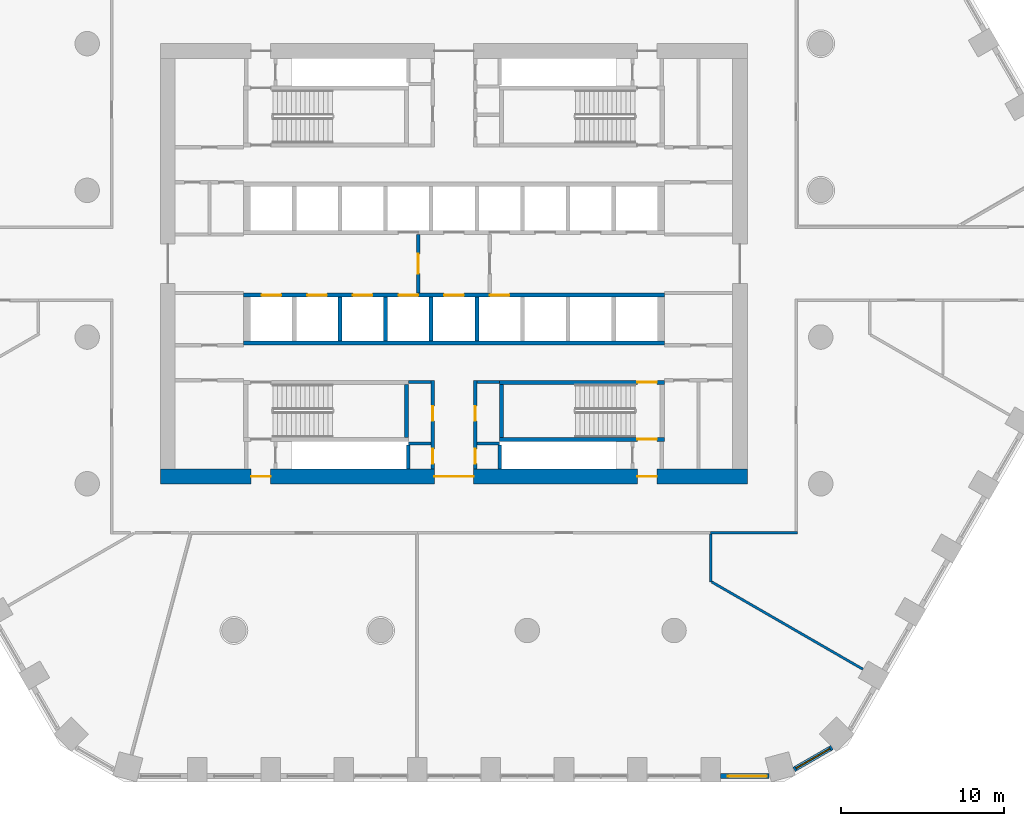
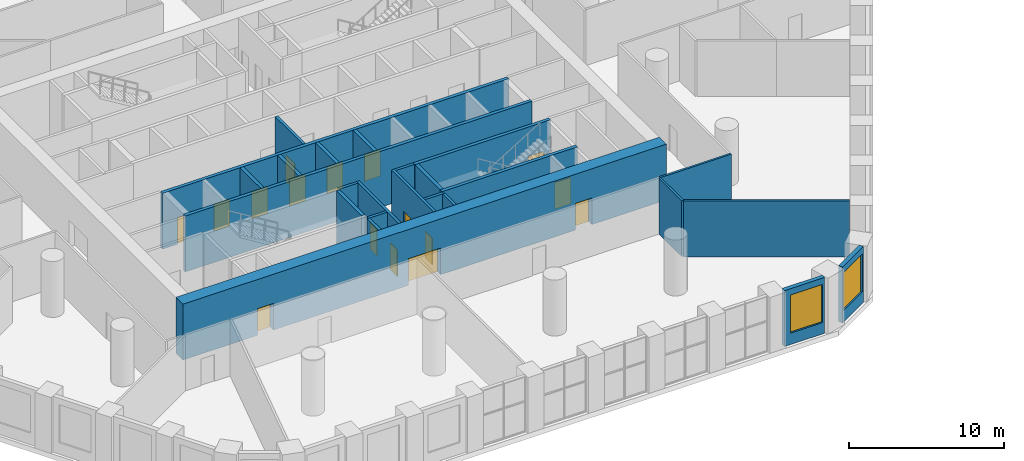
# One storey, part 8 of 26: 25 walls, 16 doors, 2 windows, 18 openings.
"""IFC4 building model written with IfcOpenShell, lengths in metres."""

import ifcopenshell
import ifcopenshell.guid

model = None  # the IFC model being written
_history = None  # IfcOwnerHistory: only IFC2X3 demands one
_inside = {}  # id of a spatial element -> (the spatial element, [elements in it])
_under = {}  # id of a project, library or spatial element -> (it, [spatial elements below it])
_declared = {}  # id of a project -> (the project, [libraries it declares])
_typed = {}  # id of a type object -> (the type object, [elements of that type])
_made_of = {}  # id of a material, layer set ... -> (it, [elements and type objects made of it])


def new_model(schema):
    """Start an empty IFC model of exactly this schema.

    Asked for "IFC4X3", IfcOpenShell would pick the latest addendum, in which some entities
    have other attributes; the version numbers below select the first issue.
    IFC2X3 requires an IfcOwnerHistory on every rooted entity: one is made here for all.
    """
    global model, _history
    if schema == "IFC4X3":
        model = ifcopenshell.file(schema_version=(4, 3, 0, 0))
    else:
        model = ifcopenshell.file(schema=schema)
    _inside.clear()
    _under.clear()
    _declared.clear()
    _typed.clear()
    _made_of.clear()
    _history = None
    if model.schema == "IFC2X3":
        org = make("IfcOrganization", Name="unknown")
        user = make(
            "IfcPersonAndOrganization",
            ThePerson=make("IfcPerson", FamilyName="unknown"),
            TheOrganization=org,
        )
        app = make(
            "IfcApplication",
            ApplicationDeveloper=org,
            Version="unknown",
            ApplicationFullName="unknown",
            ApplicationIdentifier="unknown",
        )
        _history = make(
            "IfcOwnerHistory",
            OwningUser=user,
            OwningApplication=app,
            ChangeAction="ADDED",
            CreationDate=0,
        )
    return model


def make(cls, **values):
    """One entity of the class cls with the attributes given. An attribute that is None is left unset."""
    return model.create_entity(
        cls, **{name: value for name, value in values.items() if value is not None}
    )


def rooted(cls, **values):
    """An entity with a GlobalId (a new one), such as an element, a storey or a relation."""
    return make(cls, GlobalId=ifcopenshell.guid.new(), OwnerHistory=_history, **values)


def si_unit(unit_type, name, prefix=None):
    """IfcSIUnit, for example si_unit("LENGTHUNIT", "METRE", prefix="MILLI")."""
    return make("IfcSIUnit", UnitType=unit_type, Prefix=prefix, Name=name)


def assignment(units):
    """IfcUnitAssignment: the units of a project."""
    return None if units is None else make("IfcUnitAssignment", Units=units)


def point(xyz):
    """IfcCartesianPoint."""
    return None if xyz is None else make("IfcCartesianPoint", Coordinates=xyz)


def direction(xyz):
    """IfcDirection."""
    return None if xyz is None else make("IfcDirection", DirectionRatios=xyz)


def frame(location, z_axis=None, x_axis=None):
    """IfcAxis2Placement3D, a coordinate frame: its origin and axes. An axis left out is left unset."""
    return make(
        "IfcAxis2Placement3D",
        Location=point(location),
        Axis=direction(z_axis),
        RefDirection=direction(x_axis),
    )


def frame_2d(location, x_axis=None):
    """IfcAxis2Placement2D, a coordinate frame in the plane: its origin and x axis."""
    return make(
        "IfcAxis2Placement2D", Location=point(location), RefDirection=direction(x_axis)
    )


def origin():
    """The frame at (0, 0, 0) with its axes left unset."""
    return frame((0.0, 0.0, 0.0))


def place(relative_to, where):
    """IfcLocalPlacement: puts the frame where relative to a parent placement (None: the world)."""
    return make(
        "IfcLocalPlacement", PlacementRelTo=relative_to, RelativePlacement=where
    )


def context(
    kind, dimensions, precision=None, world=None, true_north=None, identifier=None
):
    """IfcGeometricRepresentationContext, for example the 3D "Model" context."""
    return make(
        "IfcGeometricRepresentationContext",
        ContextIdentifier=identifier,
        ContextType=kind,
        CoordinateSpaceDimension=dimensions,
        Precision=precision,
        WorldCoordinateSystem=world,
        TrueNorth=true_north,
    )


def subcontext(parent, identifier, kind, view, scale=None):
    """IfcGeometricRepresentationSubContext, for example "Body" below "Model"."""
    return make(
        "IfcGeometricRepresentationSubContext",
        ContextIdentifier=identifier,
        ContextType=kind,
        ParentContext=parent,
        TargetScale=scale,
        TargetView=view,
    )


def project(units=None, contexts=None):
    """IfcProject with its units and contexts."""
    return rooted(
        "IfcProject",
        Name="project",
        RepresentationContexts=contexts,
        UnitsInContext=assignment(units),
    )


def spatial(cls, under=None, at=None, **own):
    """A site, building, storey or space (cls), placed at a placement, below another one or the project."""
    s = rooted(cls, ObjectPlacement=at, **own)
    if under is not None:
        _under.setdefault(under.id(), (under, []))[1].append(s)
    return s


def polyline(points):
    """IfcPolyline through the points."""
    return make("IfcPolyline", Points=[point(p) for p in points])


def profile(cls, at=None, kind="AREA", **sizes):
    """A parametric profile (cls). Its sizes go by their IFC names, for example OverallWidth=200.0."""
    return make(cls, ProfileType=kind, Position=at, **sizes)


def rectangle(**sizes):
    """IfcRectangleProfileDef."""
    return profile("IfcRectangleProfileDef", **sizes)


def outline(outer, holes=None, kind="AREA"):
    """IfcArbitraryClosedProfileDef: a profile drawn as a closed curve; with holes, ...WithVoids."""
    if holes is None:
        return make("IfcArbitraryClosedProfileDef", ProfileType=kind, OuterCurve=outer)
    return make(
        "IfcArbitraryProfileDefWithVoids",
        ProfileType=kind,
        OuterCurve=outer,
        InnerCurves=holes,
    )


def extrude(swept, where, along, depth):
    """IfcExtrudedAreaSolid: the profile swept, set in the frame where, extruded along a direction by depth."""
    return make(
        "IfcExtrudedAreaSolid",
        SweptArea=swept,
        Position=where,
        ExtrudedDirection=direction(along),
        Depth=depth,
    )


def shape(context_of_items, identifier, shape_type, items):
    """IfcShapeRepresentation: the items that make up one representation, for example the "Body"."""
    return make(
        "IfcShapeRepresentation",
        ContextOfItems=context_of_items,
        RepresentationIdentifier=identifier,
        RepresentationType=shape_type,
        Items=items,
    )


def material(Name=None, Category=None):
    """IfcMaterial."""
    return make("IfcMaterial", Name=Name, Category=Category)


def layer(
    of_material, thickness, ventilated=None, Name=None, Category=None, Priority=None
):
    """IfcMaterialLayer: one layer of a wall or slab, of a material (None: an air gap)."""
    return make(
        "IfcMaterialLayer",
        Material=of_material,
        LayerThickness=thickness,
        IsVentilated=ventilated,
        Name=Name,
        Category=Category,
        Priority=Priority,
    )


def layer_set(layers, Name=None):
    """IfcMaterialLayerSet."""
    return make("IfcMaterialLayerSet", MaterialLayers=layers, LayerSetName=Name)


def made_of(thing, what):
    """Note that an element or type object is made of a material, layer set ...; save() writes the relation."""
    if what is not None:
        _made_of.setdefault(what.id(), (what, []))[1].append(thing)
    return thing


def type_object(cls, material=None, **own):
    """A type object (cls), such as IfcWallType, which elements share."""
    return made_of(rooted(cls, **own), material)


def element(
    cls,
    number,
    at=None,
    inside=None,
    cuts=None,
    type_object=None,
    material=None,
    context=None,
    identifier="Body",
    shape_type=None,
    held_by="IfcProductDefinitionShape",
    body=None,
    shapes=None,
    **own,
):
    """One element of the class cls, such as IfcWall. Its Tag is "e" and its number.

    at: its placement. inside: the storey or other place that contains it. cuts: it is an
    opening in that element (IfcRelVoidsElement). A single representation is given by context,
    identifier, shape_type and body (its items); several are given by shapes. held_by: the class
    of the entity that holds the representations. save() writes the other relations.
    """
    e = rooted(cls, Tag="e%d" % number, ObjectPlacement=at, **own)
    if body is not None:
        shapes = [shape(context, identifier, shape_type, body)]
    if shapes is not None:
        e.Representation = make(held_by, Representations=shapes)
    if inside is not None:
        _inside.setdefault(inside.id(), (inside, []))[1].append(e)
    if cuts is not None:
        rooted(
            "IfcRelVoidsElement", RelatingBuildingElement=cuts, RelatedOpeningElement=e
        )
    if type_object is not None:
        _typed.setdefault(type_object.id(), (type_object, []))[1].append(e)
    return made_of(e, material)


def fill(opening, filler):
    """IfcRelFillsElement: the door or window that sits in an opening."""
    return rooted(
        "IfcRelFillsElement",
        RelatingOpeningElement=opening,
        RelatedBuildingElement=filler,
    )


def aggregate(whole, parts):
    """IfcRelAggregates: a whole, such as a stair, and the parts it consists of."""
    return rooted("IfcRelAggregates", RelatingObject=whole, RelatedObjects=parts)


def save(model, path):
    """Write the relations noted so far, then the file.

    IfcRelAggregates (storeys below a building ...), IfcRelContainedInSpatialStructure (elements
    in a storey), IfcRelDefinesByType, IfcRelAssociatesMaterial and IfcRelDeclares: one each for
    every whole, place, type object, material and project.
    """
    for whole, parts in _under.values():
        aggregate(whole, parts)
    for where, things in _inside.values():
        rooted(
            "IfcRelContainedInSpatialStructure",
            RelatedElements=things,
            RelatingStructure=where,
        )
    for kind, things in _typed.values():
        rooted("IfcRelDefinesByType", RelatedObjects=things, RelatingType=kind)
    for what, things in _made_of.values():
        rooted("IfcRelAssociatesMaterial", RelatedObjects=things, RelatingMaterial=what)
    for by, libraries in _declared.values():
        rooted("IfcRelDeclares", RelatingContext=by, RelatedDefinitions=libraries)
    model.write(path)


model = new_model("IFC4")

# Units and contexts
model_context = context("Model", 3, precision=1e-05, world=origin(), true_north=direction((0.0, 1.0)))
body_context = subcontext(model_context, "Body", "Model", "MODEL_VIEW")
ifc_project = project(units=[si_unit("LENGTHUNIT", "METRE"), si_unit("AREAUNIT", "SQUARE_METRE"), si_unit("VOLUMEUNIT", "CUBIC_METRE"), si_unit("PLANEANGLEUNIT", "RADIAN"), si_unit("MASSUNIT", "GRAM", prefix="KILO")], contexts=[model_context])

# Site, building, storey
site_placement = place(None, origin())
site = spatial("IfcSite", under=ifc_project, at=site_placement, CompositionType="ELEMENT")
building_placement = place(site_placement, origin())
building = spatial("IfcBuilding", under=site, at=building_placement, Name="Dhurran Vertical Campus", CompositionType="ELEMENT")
storey_placement = place(building_placement, frame((0.0, 0.0, 15.60009765625)))
storey = spatial("IfcBuildingStorey", under=building, at=storey_placement, Name="L03", CompositionType="ELEMENT", Elevation=15.60009765625)

# Wall, opening, window
ifc_material_1 = material(Name="Precast concrete C50/60", Category="concrete")
ifc_layer_1 = layer(ifc_material_1, 0.300048828125)
ifc_layer_set_1 = layer_set([ifc_layer_1], Name="Precast concrete C50/60")
wall_type_1 = type_object("IfcWallType", Name="Precast spandrel wall 300", PredefinedType="SOLIDWALL", material=ifc_layer_set_1)
wall_1_placement = place(storey_placement, frame((16.3505859375, -31.4296875, 0.0), z_axis=(0.0, 0.0, 1.0), x_axis=(1.0, 0.0, 0.0)))
wall_1 = element("IfcWall", 1, at=wall_1_placement, inside=storey, type_object=wall_type_1, Name="EW1 L03.08", PredefinedType="SOLIDWALL", context=body_context, shape_type="SweptSolid", body=[
    extrude(rectangle(XDim=2.98876953125, YDim=0.300048828125, at=frame_2d((1.494384765625, 0.0))), origin(), (0.0, 0.0, 1.0), 4.39990234375),
])
opening_1_placement = place(wall_1_placement, frame((0.449462890625, 0.0, 0.89990234375)))
opening_1 = element("IfcOpeningElement", 2, at=opening_1_placement, cuts=wall_1, Name="Opening WT2", PredefinedType="OPENING", context=body_context, shape_type="SweptSolid", body=[
    extrude(rectangle(XDim=2.39990234375, YDim=3.0, at=frame_2d((1.199951171875, 1.5))), frame((0.0, 0.159912109375, 0.0), z_axis=(0.0, -1.0, 0.0), x_axis=(1.0, 0.0, 0.0)), (0.0, 0.0, 1.0), 0.320068359375),
])
ifc_material_2 = material(Name="Aluminium frame with solar-control glass", Category="aluminium")
window_type = type_object("IfcWindowType", Name="Podium window 2400 x 3000", PartitioningType="SINGLE_PANEL", PredefinedType="WINDOW", material=ifc_material_2)
window_1_placement = place(opening_1_placement, origin())
window_1 = element("IfcWindow", 3, at=window_1_placement, inside=storey, type_object=window_type, Name="WT2 L03.08", OverallHeight=3.0, OverallWidth=2.39990234375, PartitioningType="SINGLE_PANEL", PredefinedType="WINDOW", context=body_context, shape_type="SweptSolid", body=[
    extrude(rectangle(XDim=2.39990234375, YDim=3.0, at=frame_2d((1.199951171875, 1.5))), frame((0.0, 0.030029296875, 0.0), z_axis=(0.0, -1.0, 0.0), x_axis=(1.0, 0.0, 0.0)), (0.0, 0.0, 1.0), 0.06005859375),
])
fill(opening_1, window_1)

wall_2_placement = place(storey_placement, frame((20.86376953125, -31.021240234375, 0.0), z_axis=(0.0, 0.0, 1.0), x_axis=(0.866001915448, 0.500040680786, 0.0)))
wall_2 = element("IfcWall", 4, at=wall_2_placement, inside=storey, type_object=wall_type_1, Name="EW1 L03.09", PredefinedType="SOLIDWALL", context=body_context, shape_type="SweptSolid", body=[
    extrude(rectangle(XDim=2.678466796875, YDim=0.300048828125, at=frame_2d((1.33935546875, 0.0))), origin(), (0.0, 0.0, 1.0), 4.39990234375),
])
opening_2_placement = place(wall_2_placement, frame((0.139404296875, 0.0, 0.89990234375)))
opening_2 = element("IfcOpeningElement", 5, at=opening_2_placement, cuts=wall_2, Name="Opening WT2", PredefinedType="OPENING", context=body_context, shape_type="SweptSolid", body=[
    extrude(rectangle(XDim=2.39990234375, YDim=3.0, at=frame_2d((1.199951171875, 1.5))), frame((0.0, 0.159912109375, 0.0), z_axis=(0.0, -1.0, 0.0), x_axis=(1.0, 0.0, 0.0)), (0.0, 0.0, 1.0), 0.320068359375),
])
window_2_placement = place(opening_2_placement, origin())
window_2 = element("IfcWindow", 6, at=window_2_placement, inside=storey, type_object=window_type, Name="WT2 L03.09", OverallHeight=3.0, OverallWidth=2.39990234375, PartitioningType="SINGLE_PANEL", PredefinedType="WINDOW", context=body_context, shape_type="SweptSolid", body=[
    extrude(rectangle(XDim=2.39990234375, YDim=3.0, at=frame_2d((1.199951171875, 1.5))), frame((0.0, 0.030029296875, 0.0), z_axis=(0.0, -1.0, 0.0), x_axis=(1.0, 0.0, 0.0)), (0.0, 0.0, 1.0), 0.06005859375),
])
fill(opening_2, window_2)

# Wall, openings, doors
ifc_material_3 = material(Name="Concrete C60/75", Category="concrete")
ifc_layer_2 = layer(ifc_material_3, 0.89990234375)
ifc_layer_set_2 = layer_set([ifc_layer_2], Name="Concrete C60/75")
wall_type_2 = type_object("IfcWallType", Name="co-CORE-WALL-C0-900", PredefinedType="SHEAR", material=ifc_layer_set_2)
wall_3_placement = place(storey_placement, frame((-18.0, -13.050048828125, 0.0), z_axis=(0.0, 0.0, 1.0), x_axis=(1.0, 0.0, 0.0)))
wall_3 = element("IfcWall", 7, at=wall_3_placement, inside=storey, type_object=wall_type_2, Name="Core wall S L03", PredefinedType="SHEAR", context=body_context, shape_type="SweptSolid", body=[
    extrude(rectangle(XDim=36.0, YDim=0.89990234375, at=frame_2d((18.0, 0.0))), origin(), (0.0, 0.0, 1.0), 4.39990234375),
])
opening_3_placement = place(wall_3_placement, frame((16.800048828125, 0.0, 0.0)))
opening_3 = element("IfcOpeningElement", 8, at=opening_3_placement, cuts=wall_3, Name="Opening CV2", PredefinedType="OPENING", context=body_context, shape_type="SweptSolid", body=[
    extrude(rectangle(XDim=2.39990234375, YDim=2.10009765625, at=frame_2d((1.199951171875, 1.050048828125))), frame((0.0, 0.4599609375, 0.0), z_axis=(0.0, -1.0, 0.0), x_axis=(1.0, 0.0, 0.0)), (0.0, 0.0, 1.0), 0.919921875),
])
opening_4_placement = place(wall_3_placement, frame((5.550048828125, 0.0, 0.0)))
opening_4 = element("IfcOpeningElement", 9, at=opening_4_placement, cuts=wall_3, Name="Opening XD3", PredefinedType="OPENING", context=body_context, shape_type="SweptSolid", body=[
    extrude(rectangle(XDim=1.199951171875, YDim=2.10009765625, at=frame_2d((0.60009765625, 1.050048828125))), frame((0.0, 0.4599609375, 0.0), z_axis=(0.0, -1.0, 0.0), x_axis=(1.0, 0.0, 0.0)), (0.0, 0.0, 1.0), 0.919921875),
])
opening_5_placement = place(wall_3_placement, frame((29.25, 0.0, 0.0)))
opening_5 = element("IfcOpeningElement", 10, at=opening_5_placement, cuts=wall_3, Name="Opening XD4", PredefinedType="OPENING", context=body_context, shape_type="SweptSolid", body=[
    extrude(rectangle(XDim=1.199951171875, YDim=2.10009765625, at=frame_2d((0.60009765625, 1.050048828125))), frame((0.0, 0.4599609375, 0.0), z_axis=(0.0, -1.0, 0.0), x_axis=(1.0, 0.0, 0.0)), (0.0, 0.0, 1.0), 0.919921875),
])
ifc_material_4 = material(Name="Fire-rated glazed door set")
door_type_1 = type_object("IfcDoorType", Name="co-D-LOBBY 2400x2100", OperationType="DOUBLE_DOOR_DOUBLE_SWING", PredefinedType="DOOR", material=ifc_material_4)
door_1_placement = place(opening_3_placement, origin())
door_1 = element("IfcDoor", 11, at=door_1_placement, inside=storey, type_object=door_type_1, Name="Core vestibule door S L03", OperationType="DOUBLE_DOOR_DOUBLE_SWING", OverallHeight=2.10009765625, OverallWidth=2.39990234375, PredefinedType="DOOR", context=body_context, shape_type="SweptSolid", body=[
    extrude(rectangle(XDim=2.39990234375, YDim=2.10009765625, at=frame_2d((1.199951171875, 1.050048828125))), frame((0.0, 0.02490234375, 0.0), z_axis=(0.0, -1.0, 0.0), x_axis=(1.0, 0.0, 0.0)), (0.0, 0.0, 1.0), 0.050048828125),
])
fill(opening_3, door_1)
ifc_material_5 = material(Name="Fire-rated steel door set", Category="steel")
door_type_2 = type_object("IfcDoorType", Name="co-D-STAIR-EXIT 1200x2100", OperationType="SINGLE_SWING_RIGHT", PredefinedType="DOOR", material=ifc_material_5)
door_2_placement = place(opening_4_placement, origin())
door_2 = element("IfcDoor", 12, at=door_2_placement, inside=storey, type_object=door_type_2, Name="Stair ST3 exit door L03", OperationType="SINGLE_SWING_RIGHT", OverallHeight=2.10009765625, OverallWidth=1.199951171875, PredefinedType="DOOR", context=body_context, shape_type="SweptSolid", body=[
    extrude(rectangle(XDim=1.199951171875, YDim=2.10009765625, at=frame_2d((0.60009765625, 1.050048828125))), frame((0.0, 0.02490234375, 0.0), z_axis=(0.0, -1.0, 0.0), x_axis=(1.0, 0.0, 0.0)), (0.0, 0.0, 1.0), 0.050048828125),
])
fill(opening_4, door_2)
door_3_placement = place(opening_5_placement, origin())
door_3 = element("IfcDoor", 13, at=door_3_placement, inside=storey, type_object=door_type_2, Name="Stair ST4 exit door L03", OperationType="SINGLE_SWING_RIGHT", OverallHeight=2.10009765625, OverallWidth=1.199951171875, PredefinedType="DOOR", context=body_context, shape_type="SweptSolid", body=[
    extrude(rectangle(XDim=1.199951171875, YDim=2.10009765625, at=frame_2d((0.60009765625, 1.050048828125))), frame((0.0, 0.02490234375, 0.0), z_axis=(0.0, -1.0, 0.0), x_axis=(1.0, 0.0, 0.0)), (0.0, 0.0, 1.0), 0.050048828125),
])
fill(opening_5, door_3)

# Wall, opening, door
ifc_material_6 = material(Name="Fire-rated masonry blockwork", Category="masonry")
ifc_layer_3 = layer(ifc_material_6, 0.199951171875)
ifc_layer_set_3 = layer_set([ifc_layer_3], Name="Fire-rated masonry blockwork")
wall_type_3 = type_object("IfcWallType", Name="co-FIRE-PARTITION-200", PredefinedType="PARTITIONING", material=ifc_layer_set_3)
wall_4_placement = place(storey_placement, frame((-2.199951171875, -1.800048828125, 0.0), z_axis=(0.0, 0.0, 1.0), x_axis=(0.0, 1.0, 0.0)))
wall_4 = element("IfcWall", 14, at=wall_4_placement, inside=storey, type_object=wall_type_3, Name="Firefighting lobby wall W L03", PredefinedType="PARTITIONING", context=body_context, shape_type="SweptSolid", body=[
    extrude(rectangle(XDim=3.60009765625, YDim=0.199951171875, at=frame_2d((1.800048828125, 0.0))), origin(), (0.0, 0.0, 1.0), 4.39990234375),
])
opening_6_placement = place(wall_4_placement, frame((1.199951171875, 0.0, 0.0)))
opening_6 = element("IfcOpeningElement", 15, at=opening_6_placement, cuts=wall_4, Name="Opening FL1", PredefinedType="OPENING", context=body_context, shape_type="SweptSolid", body=[
    extrude(rectangle(XDim=1.199951171875, YDim=2.10009765625, at=frame_2d((0.60009765625, 1.050048828125))), frame((0.0, 0.10986328125, 0.0), z_axis=(0.0, -1.0, 0.0), x_axis=(1.0, 0.0, 0.0)), (0.0, 0.0, 1.0), 0.219970703125),
])
ifc_material_7 = material(Name="Fire-rated steel door set", Category="steel")
door_type_3 = type_object("IfcDoorType", Name="co-D-FFLOBBY 1200x2100", OperationType="SINGLE_SWING_LEFT", PredefinedType="DOOR", material=ifc_material_7)
door_4_placement = place(opening_6_placement, origin())
door_4 = element("IfcDoor", 16, at=door_4_placement, inside=storey, type_object=door_type_3, Name="Firefighting lobby door W L03", OperationType="SINGLE_SWING_LEFT", OverallHeight=2.10009765625, OverallWidth=1.199951171875, PredefinedType="DOOR", context=body_context, shape_type="SweptSolid", body=[
    extrude(rectangle(XDim=1.199951171875, YDim=2.10009765625, at=frame_2d((0.60009765625, 1.050048828125))), frame((0.0, 0.02490234375, 0.0), z_axis=(0.0, -1.0, 0.0), x_axis=(1.0, 0.0, 0.0)), (0.0, 0.0, 1.0), 0.050048828125),
])
fill(opening_6, door_4)

# Walls
for number, where, z_axis, x_axis, name in (
    (17, (-2.800048828125, -7.25, 0.0), (0.0, 0.0, 1.0), (1.0, 0.0, 0.0), "Core partition sl-SW-S L03"),
    (18, (-2.800048828125, -11.02490234375, 0.0), (0.0, 0.0, 1.0), (1.0, 0.0, 0.0), "Core partition sl-SW-cut0 L03"),
    (19, (1.39990234375, -7.25, 0.0), (0.0, 0.0, 1.0), (1.0, 0.0, 0.0), "Core partition sl-SE-S L03"),
    (20, (1.39990234375, -11.02490234375, 0.0), (0.0, 0.0, 1.0), (1.0, 0.0, 0.0), "Core partition sl-SE-cut0 L03"),
):
    element("IfcWall", number, at=place(storey_placement, frame(where, z_axis=z_axis, x_axis=x_axis)), inside=storey, type_object=wall_type_3, Name=name, PredefinedType="PARTITIONING", context=body_context, shape_type="SweptSolid", body=[
        extrude(rectangle(XDim=1.400146484375, YDim=0.199951171875, at=frame_2d((0.7001953125, 0.0))), origin(), (0.0, 0.0, 1.0), 4.39990234375),
    ])

# Wall, openings, doors
wall_5_placement = place(storey_placement, frame((-1.300048828125, -12.60009765625, 0.0), z_axis=(0.0, 0.0, 1.0), x_axis=(0.0, 1.0, 0.0)))
wall_5 = element("IfcWall", 21, at=wall_5_placement, inside=storey, type_object=wall_type_3, Name="Core partition vest-SW L03", PredefinedType="PARTITIONING", context=body_context, shape_type="SweptSolid", body=[
    extrude(rectangle(XDim=5.4501953125, YDim=0.199951171875, at=frame_2d((2.72509765625, 0.0))), origin(), (0.0, 0.0, 1.0), 4.39990234375),
])
opening_7_placement = place(wall_5_placement, frame((0.33740234375, 0.0, 0.0)))
opening_7 = element("IfcOpeningElement", 22, at=opening_7_placement, cuts=wall_5, Name="Opening PD03-C1", PredefinedType="OPENING", context=body_context, shape_type="SweptSolid", body=[
    extrude(rectangle(XDim=0.89990234375, YDim=2.10009765625, at=frame_2d((0.449951171875, 1.050048828125))), frame((0.0, 0.10986328125, 0.0), z_axis=(0.0, -1.0, 0.0), x_axis=(1.0, 0.0, 0.0)), (0.0, 0.0, 1.0), 0.219970703125),
])
opening_8_placement = place(wall_5_placement, frame((2.96240234375, 0.0, 0.0)))
opening_8 = element("IfcOpeningElement", 23, at=opening_8_placement, cuts=wall_5, Name="Opening PD03-C2", PredefinedType="OPENING", context=body_context, shape_type="SweptSolid", body=[
    extrude(rectangle(XDim=0.89990234375, YDim=2.10009765625, at=frame_2d((0.449951171875, 1.050048828125))), frame((0.0, 0.10986328125, 0.0), z_axis=(0.0, -1.0, 0.0), x_axis=(1.0, 0.0, 0.0)), (0.0, 0.0, 1.0), 0.219970703125),
])
ifc_material_8 = material(Name="Fire-rated timber door set", Category="wood")
door_type_4 = type_object("IfcDoorType", Name="co-D-ROOM 900x2100", OperationType="SINGLE_SWING_LEFT", PredefinedType="DOOR", material=ifc_material_8)
door_5_placement = place(opening_7_placement, origin())
door_5 = element("IfcDoor", 24, at=door_5_placement, inside=storey, type_object=door_type_4, Name="Store door L03", OperationType="SINGLE_SWING_LEFT", OverallHeight=2.10009765625, OverallWidth=0.89990234375, PredefinedType="DOOR", context=body_context, shape_type="SweptSolid", body=[
    extrude(rectangle(XDim=0.89990234375, YDim=2.10009765625, at=frame_2d((0.449951171875, 1.050048828125))), frame((0.0, 0.02490234375, 0.0), z_axis=(0.0, -1.0, 0.0), x_axis=(1.0, 0.0, 0.0)), (0.0, 0.0, 1.0), 0.050048828125),
])
fill(opening_7, door_5)
door_6_placement = place(opening_8_placement, origin())
door_6 = element("IfcDoor", 25, at=door_6_placement, inside=storey, type_object=door_type_4, Name="Waste room door L03", OperationType="SINGLE_SWING_LEFT", OverallHeight=2.10009765625, OverallWidth=0.89990234375, PredefinedType="DOOR", context=body_context, shape_type="SweptSolid", body=[
    extrude(rectangle(XDim=0.89990234375, YDim=2.10009765625, at=frame_2d((0.449951171875, 1.050048828125))), frame((0.0, 0.02490234375, 0.0), z_axis=(0.0, -1.0, 0.0), x_axis=(1.0, 0.0, 0.0)), (0.0, 0.0, 1.0), 0.050048828125),
])
fill(opening_8, door_6)

wall_6_placement = place(storey_placement, frame((1.300048828125, -12.60009765625, 0.0), z_axis=(0.0, 0.0, 1.0), x_axis=(0.0, 1.0, 0.0)))
wall_6 = element("IfcWall", 26, at=wall_6_placement, inside=storey, type_object=wall_type_3, Name="Core partition vest-SE L03", PredefinedType="PARTITIONING", context=body_context, shape_type="SweptSolid", body=[
    extrude(rectangle(XDim=5.4501953125, YDim=0.199951171875, at=frame_2d((2.72509765625, 0.0))), origin(), (0.0, 0.0, 1.0), 4.39990234375),
])
opening_9_placement = place(wall_6_placement, frame((0.33740234375, 0.0, 0.0)))
opening_9 = element("IfcOpeningElement", 27, at=opening_9_placement, cuts=wall_6, Name="Opening PD03-C3", PredefinedType="OPENING", context=body_context, shape_type="SweptSolid", body=[
    extrude(rectangle(XDim=0.89990234375, YDim=2.10009765625, at=frame_2d((0.449951171875, 1.050048828125))), frame((0.0, 0.10986328125, 0.0), z_axis=(0.0, -1.0, 0.0), x_axis=(1.0, 0.0, 0.0)), (0.0, 0.0, 1.0), 0.219970703125),
])
opening_10_placement = place(wall_6_placement, frame((2.96240234375, 0.0, 0.0)))
opening_10 = element("IfcOpeningElement", 28, at=opening_10_placement, cuts=wall_6, Name="Opening PD03-C4", PredefinedType="OPENING", context=body_context, shape_type="SweptSolid", body=[
    extrude(rectangle(XDim=0.89990234375, YDim=2.10009765625, at=frame_2d((0.449951171875, 1.050048828125))), frame((0.0, 0.10986328125, 0.0), z_axis=(0.0, -1.0, 0.0), x_axis=(1.0, 0.0, 0.0)), (0.0, 0.0, 1.0), 0.219970703125),
])
door_7_placement = place(opening_9_placement, origin())
door_7 = element("IfcDoor", 29, at=door_7_placement, inside=storey, type_object=door_type_4, Name="Electrical riser door L03", OperationType="SINGLE_SWING_LEFT", OverallHeight=2.10009765625, OverallWidth=0.89990234375, PredefinedType="DOOR", context=body_context, shape_type="SweptSolid", body=[
    extrude(rectangle(XDim=0.89990234375, YDim=2.10009765625, at=frame_2d((0.449951171875, 1.050048828125))), frame((0.0, 0.02490234375, 0.0), z_axis=(0.0, -1.0, 0.0), x_axis=(1.0, 0.0, 0.0)), (0.0, 0.0, 1.0), 0.050048828125),
])
fill(opening_9, door_7)
door_8_placement = place(opening_10_placement, origin())
door_8 = element("IfcDoor", 30, at=door_8_placement, inside=storey, type_object=door_type_4, Name="Server room door L03", OperationType="SINGLE_SWING_LEFT", OverallHeight=2.10009765625, OverallWidth=0.89990234375, PredefinedType="DOOR", context=body_context, shape_type="SweptSolid", body=[
    extrude(rectangle(XDim=0.89990234375, YDim=2.10009765625, at=frame_2d((0.449951171875, 1.050048828125))), frame((0.0, 0.02490234375, 0.0), z_axis=(0.0, -1.0, 0.0), x_axis=(1.0, 0.0, 0.0)), (0.0, 0.0, 1.0), 0.050048828125),
])
fill(opening_10, door_8)

# Walls
for number, where, z_axis, x_axis, name in (
    (31, (-2.800048828125, -12.59912109375, 0.0), (0.0, 0.0, 1.0), (0.0, 1.0, 0.0), "Riser enclosure wall L03"),
    (32, (2.800048828125, -12.59912109375, 0.0), (0.0, 0.0, 1.0), (0.0, 1.0, 0.0), "Riser enclosure wall L03"),
):
    element("IfcWall", number, at=place(storey_placement, frame(where, z_axis=z_axis, x_axis=x_axis)), inside=storey, type_object=wall_type_3, Name=name, PredefinedType="PARTITIONING", context=body_context, shape_type="SweptSolid", body=[
        extrude(rectangle(XDim=1.47314453125, YDim=0.199951171875, at=frame_2d((0.736572265625, 0.0))), origin(), (0.0, 0.0, 1.0), 4.39990234375),
    ])

# Wall, openings, doors
ifc_material_9 = material(Name="Concrete C50/60", Category="concrete")
ifc_layer_4 = layer(ifc_material_9, 0.25)
ifc_layer_set_4 = layer_set([ifc_layer_4], Name="Concrete C50/60")
wall_type_4 = type_object("IfcWallType", Name="co-SHAFT-FRONT-250", PredefinedType="SHEAR", material=ifc_layer_set_4)
wall_7_placement = place(storey_placement, frame((-12.89990234375, -1.925048828125, 0.0), z_axis=(0.0, 0.0, 1.0), x_axis=(1.0, 0.0, 0.0)))
wall_7 = element("IfcWall", 33, at=wall_7_placement, inside=storey, type_object=wall_type_4, Name="Lift landing wall S L03", PredefinedType="SHEAR", context=body_context, shape_type="SweptSolid", body=[
    extrude(rectangle(XDim=25.7998046875, YDim=0.25, at=frame_2d((12.89990234375, 0.0))), origin(), (0.0, 0.0, 1.0), 4.39990234375),
])
opening_11_placement = place(wall_7_placement, frame((1.10009765625, 0.0, 0.0)))
opening_11 = element("IfcOpeningElement", 34, at=opening_11_placement, cuts=wall_7, Name="Opening LD", PredefinedType="OPENING", context=body_context, shape_type="SweptSolid", body=[
    extrude(rectangle(XDim=1.199951171875, YDim=2.10009765625, at=frame_2d((0.60009765625, 1.050048828125))), frame((0.0, 0.135009765625, 0.0), z_axis=(0.0, -1.0, 0.0), x_axis=(1.0, 0.0, 0.0)), (0.0, 0.0, 1.0), 0.27001953125),
])
opening_12_placement = place(wall_7_placement, frame((3.89990234375, 0.0, 0.0)))
opening_12 = element("IfcOpeningElement", 35, at=opening_12_placement, cuts=wall_7, Name="Opening LD", PredefinedType="OPENING", context=body_context, shape_type="SweptSolid", body=[
    extrude(rectangle(XDim=1.199951171875, YDim=2.10009765625, at=frame_2d((0.60009765625, 1.050048828125))), frame((0.0, 0.135009765625, 0.0), z_axis=(0.0, -1.0, 0.0), x_axis=(1.0, 0.0, 0.0)), (0.0, 0.0, 1.0), 0.27001953125),
])
opening_13_placement = place(wall_7_placement, frame((6.699951171875, 0.0, 0.0)))
opening_13 = element("IfcOpeningElement", 36, at=opening_13_placement, cuts=wall_7, Name="Opening LD", PredefinedType="OPENING", context=body_context, shape_type="SweptSolid", body=[
    extrude(rectangle(XDim=1.199951171875, YDim=2.10009765625, at=frame_2d((0.60009765625, 1.050048828125))), frame((0.0, 0.135009765625, 0.0), z_axis=(0.0, -1.0, 0.0), x_axis=(1.0, 0.0, 0.0)), (0.0, 0.0, 1.0), 0.27001953125),
])
opening_14_placement = place(wall_7_placement, frame((9.5, 0.0, 0.0)))
opening_14 = element("IfcOpeningElement", 37, at=opening_14_placement, cuts=wall_7, Name="Opening LD", PredefinedType="OPENING", context=body_context, shape_type="SweptSolid", body=[
    extrude(rectangle(XDim=1.199951171875, YDim=2.10009765625, at=frame_2d((0.60009765625, 1.050048828125))), frame((0.0, 0.135009765625, 0.0), z_axis=(0.0, -1.0, 0.0), x_axis=(1.0, 0.0, 0.0)), (0.0, 0.0, 1.0), 0.27001953125),
])
opening_15_placement = place(wall_7_placement, frame((12.300048828125, 0.0, 0.0)))
opening_15 = element("IfcOpeningElement", 38, at=opening_15_placement, cuts=wall_7, Name="Opening LD", PredefinedType="OPENING", context=body_context, shape_type="SweptSolid", body=[
    extrude(rectangle(XDim=1.199951171875, YDim=2.10009765625, at=frame_2d((0.60009765625, 1.050048828125))), frame((0.0, 0.135009765625, 0.0), z_axis=(0.0, -1.0, 0.0), x_axis=(1.0, 0.0, 0.0)), (0.0, 0.0, 1.0), 0.27001953125),
])
opening_16_placement = place(wall_7_placement, frame((15.10009765625, 0.0, 0.0)))
opening_16 = element("IfcOpeningElement", 39, at=opening_16_placement, cuts=wall_7, Name="Opening LD", PredefinedType="OPENING", context=body_context, shape_type="SweptSolid", body=[
    extrude(rectangle(XDim=1.199951171875, YDim=2.10009765625, at=frame_2d((0.60009765625, 1.050048828125))), frame((0.0, 0.135009765625, 0.0), z_axis=(0.0, -1.0, 0.0), x_axis=(1.0, 0.0, 0.0)), (0.0, 0.0, 1.0), 0.27001953125),
])
ifc_material_10 = material(Name="Stainless steel landing door", Category="steel")
door_type_5 = type_object("IfcDoorType", Name="co-D-LANDING 1200x2100", OperationType="DOUBLE_DOOR_SLIDING", PredefinedType="DOOR", material=ifc_material_10)
door_9_placement = place(opening_11_placement, origin())
door_9 = element("IfcDoor", 40, at=door_9_placement, inside=storey, type_object=door_type_5, Name="Landing door LR5 L03", OperationType="DOUBLE_DOOR_SLIDING", OverallHeight=2.10009765625, OverallWidth=1.199951171875, PredefinedType="DOOR", context=body_context, shape_type="SweptSolid", body=[
    extrude(rectangle(XDim=1.199951171875, YDim=2.10009765625, at=frame_2d((0.60009765625, 1.050048828125))), frame((0.0, 0.02490234375, 0.0), z_axis=(0.0, -1.0, 0.0), x_axis=(1.0, 0.0, 0.0)), (0.0, 0.0, 1.0), 0.050048828125),
])
fill(opening_11, door_9)
door_10_placement = place(opening_12_placement, origin())
door_10 = element("IfcDoor", 41, at=door_10_placement, inside=storey, type_object=door_type_5, Name="Landing door LR6 L03", OperationType="DOUBLE_DOOR_SLIDING", OverallHeight=2.10009765625, OverallWidth=1.199951171875, PredefinedType="DOOR", context=body_context, shape_type="SweptSolid", body=[
    extrude(rectangle(XDim=1.199951171875, YDim=2.10009765625, at=frame_2d((0.60009765625, 1.050048828125))), frame((0.0, 0.02490234375, 0.0), z_axis=(0.0, -1.0, 0.0), x_axis=(1.0, 0.0, 0.0)), (0.0, 0.0, 1.0), 0.050048828125),
])
fill(opening_12, door_10)
door_11_placement = place(opening_13_placement, origin())
door_11 = element("IfcDoor", 42, at=door_11_placement, inside=storey, type_object=door_type_5, Name="Landing door LR7 L03", OperationType="DOUBLE_DOOR_SLIDING", OverallHeight=2.10009765625, OverallWidth=1.199951171875, PredefinedType="DOOR", context=body_context, shape_type="SweptSolid", body=[
    extrude(rectangle(XDim=1.199951171875, YDim=2.10009765625, at=frame_2d((0.60009765625, 1.050048828125))), frame((0.0, 0.02490234375, 0.0), z_axis=(0.0, -1.0, 0.0), x_axis=(1.0, 0.0, 0.0)), (0.0, 0.0, 1.0), 0.050048828125),
])
fill(opening_13, door_11)
door_12_placement = place(opening_14_placement, origin())
door_12 = element("IfcDoor", 43, at=door_12_placement, inside=storey, type_object=door_type_5, Name="Landing door LR8 L03", OperationType="DOUBLE_DOOR_SLIDING", OverallHeight=2.10009765625, OverallWidth=1.199951171875, PredefinedType="DOOR", context=body_context, shape_type="SweptSolid", body=[
    extrude(rectangle(XDim=1.199951171875, YDim=2.10009765625, at=frame_2d((0.60009765625, 1.050048828125))), frame((0.0, 0.02490234375, 0.0), z_axis=(0.0, -1.0, 0.0), x_axis=(1.0, 0.0, 0.0)), (0.0, 0.0, 1.0), 0.050048828125),
])
fill(opening_14, door_12)
door_13_placement = place(opening_15_placement, origin())
door_13 = element("IfcDoor", 44, at=door_13_placement, inside=storey, type_object=door_type_5, Name="Landing door FF2 L03", OperationType="DOUBLE_DOOR_SLIDING", OverallHeight=2.10009765625, OverallWidth=1.199951171875, PredefinedType="DOOR", context=body_context, shape_type="SweptSolid", body=[
    extrude(rectangle(XDim=1.199951171875, YDim=2.10009765625, at=frame_2d((0.60009765625, 1.050048828125))), frame((0.0, 0.02490234375, 0.0), z_axis=(0.0, -1.0, 0.0), x_axis=(1.0, 0.0, 0.0)), (0.0, 0.0, 1.0), 0.050048828125),
])
fill(opening_15, door_13)
door_14_placement = place(opening_16_placement, origin())
door_14 = element("IfcDoor", 45, at=door_14_placement, inside=storey, type_object=door_type_5, Name="Landing door SV1 L03", OperationType="DOUBLE_DOOR_SLIDING", OverallHeight=2.10009765625, OverallWidth=1.199951171875, PredefinedType="DOOR", context=body_context, shape_type="SweptSolid", body=[
    extrude(rectangle(XDim=1.199951171875, YDim=2.10009765625, at=frame_2d((0.60009765625, 1.050048828125))), frame((0.0, 0.02490234375, 0.0), z_axis=(0.0, -1.0, 0.0), x_axis=(1.0, 0.0, 0.0)), (0.0, 0.0, 1.0), 0.050048828125),
])
fill(opening_16, door_14)

# Walls
ifc_material_11 = material(Name="Concrete C50/60", Category="concrete")
ifc_layer_5 = layer(ifc_material_11, 0.25)
ifc_layer_set_5 = layer_set([ifc_layer_5], Name="Concrete C50/60")
wall_type_5 = type_object("IfcWallType", Name="co-SHAFT-MASS-250", PredefinedType="SHEAR", material=ifc_layer_set_5)
wall_8_placement = place(storey_placement, origin())
element("IfcWall", 46, at=wall_8_placement, inside=storey, type_object=wall_type_5, Name="Lift shaft wall S L03 1", PredefinedType="SHEAR", context=body_context, shape_type="SweptSolid", body=[
    extrude(outline(polyline([(-12.89990234375, -5.0), (12.89990234375, -5.0), (12.89990234375, -4.75), (-12.89990234375, -4.75), (-12.89990234375, -5.0)])), origin(), (0.0, 0.0, 1.0), 4.39990234375),
])
wall_9_placement = place(storey_placement, origin())
element("IfcWall", 47, at=wall_9_placement, inside=storey, type_object=wall_type_5, Name="Lift shaft wall S L03 4", PredefinedType="SHEAR", context=body_context, shape_type="SweptSolid", body=[
    extrude(outline(polyline([(-7.125, -4.75), (-6.875, -4.75), (-6.875, -2.050048828125), (-7.125, -2.050048828125), (-7.125, -4.75)])), origin(), (0.0, 0.0, 1.0), 4.39990234375),
])
wall_10_placement = place(storey_placement, origin())
element("IfcWall", 48, at=wall_10_placement, inside=storey, type_object=wall_type_5, Name="Lift shaft wall S L03 5", PredefinedType="SHEAR", context=body_context, shape_type="SweptSolid", body=[
    extrude(outline(polyline([(-4.324951171875, -4.75), (-4.074951171875, -4.75), (-4.074951171875, -2.050048828125), (-4.324951171875, -2.050048828125), (-4.324951171875, -4.75)])), origin(), (0.0, 0.0, 1.0), 4.39990234375),
])
wall_11_placement = place(storey_placement, origin())
element("IfcWall", 49, at=wall_11_placement, inside=storey, type_object=wall_type_5, Name="Lift shaft wall S L03 6", PredefinedType="SHEAR", context=body_context, shape_type="SweptSolid", body=[
    extrude(outline(polyline([(-1.52490234375, -4.75), (-1.27490234375, -4.75), (-1.27490234375, -2.050048828125), (-1.52490234375, -2.050048828125), (-1.52490234375, -4.75)])), origin(), (0.0, 0.0, 1.0), 4.39990234375),
])
wall_12_placement = place(storey_placement, origin())
element("IfcWall", 50, at=wall_12_placement, inside=storey, type_object=wall_type_5, Name="Lift shaft wall S L03 7", PredefinedType="SHEAR", context=body_context, shape_type="SweptSolid", body=[
    extrude(outline(polyline([(1.27490234375, -4.75), (1.52490234375, -4.75), (1.52490234375, -2.050048828125), (1.27490234375, -2.050048828125), (1.27490234375, -4.75)])), origin(), (0.0, 0.0, 1.0), 4.39990234375),
])
ifc_material_12 = material(Name="Concrete C40/50", Category="concrete")
ifc_layer_6 = layer(ifc_material_12, 0.25)
ifc_layer_set_6 = layer_set([ifc_layer_6], Name="Concrete C40/50")
wall_type_6 = type_object("IfcWallType", Name="co-STAIR-WALL-250", PredefinedType="SHEAR", material=ifc_layer_set_6)
wall_13_placement = place(storey_placement, frame((-2.925048828125, -10.64990234375, 0.0), z_axis=(0.0, 0.0, 1.0), x_axis=(0.0, 1.0, 0.0)))
element("IfcWall", 51, at=wall_13_placement, inside=storey, type_object=wall_type_6, Name="Stair ST3 enclosure wall L03", PredefinedType="SHEAR", context=body_context, shape_type="SweptSolid", body=[
    extrude(rectangle(XDim=3.25, YDim=0.25, at=frame_2d((1.625, 0.0))), origin(), (0.0, 0.0, 1.0), 4.39990234375),
])

# Wall, opening, door
wall_14_placement = place(storey_placement, frame((2.800048828125, -10.77490234375, 0.0), z_axis=(0.0, 0.0, 1.0), x_axis=(1.0, 0.0, 0.0)))
wall_14 = element("IfcWall", 52, at=wall_14_placement, inside=storey, type_object=wall_type_6, Name="Stair ST4 enclosure wall L03", PredefinedType="SHEAR", context=body_context, shape_type="SweptSolid", body=[
    extrude(rectangle(XDim=10.099853515625, YDim=0.25, at=frame_2d((5.0498046875, 0.0))), origin(), (0.0, 0.0, 1.0), 4.39990234375),
])
opening_17_placement = place(wall_14_placement, frame((8.449951171875, 0.0, 0.0)))
opening_17 = element("IfcOpeningElement", 53, at=opening_17_placement, cuts=wall_14, Name="Opening XS4", PredefinedType="OPENING", context=body_context, shape_type="SweptSolid", body=[
    extrude(rectangle(XDim=1.199951171875, YDim=2.10009765625, at=frame_2d((0.60009765625, 1.050048828125))), frame((0.0, 0.135009765625, 0.0), z_axis=(0.0, -1.0, 0.0), x_axis=(1.0, 0.0, 0.0)), (0.0, 0.0, 1.0), 0.27001953125),
])
door_15_placement = place(opening_17_placement, origin())
door_15 = element("IfcDoor", 54, at=door_15_placement, inside=storey, type_object=door_type_2, Name="Stair ST4 discharge door L03", OperationType="SINGLE_SWING_RIGHT", OverallHeight=2.10009765625, OverallWidth=1.199951171875, PredefinedType="DOOR", context=body_context, shape_type="SweptSolid", body=[
    extrude(rectangle(XDim=1.199951171875, YDim=2.10009765625, at=frame_2d((0.60009765625, 1.050048828125))), frame((0.0, 0.02490234375, 0.0), z_axis=(0.0, -1.0, 0.0), x_axis=(1.0, 0.0, 0.0)), (0.0, 0.0, 1.0), 0.050048828125),
])
fill(opening_17, door_15)

wall_15_placement = place(storey_placement, frame((2.800048828125, -7.27490234375, 0.0), z_axis=(0.0, 0.0, 1.0), x_axis=(1.0, 0.0, 0.0)))
wall_15 = element("IfcWall", 55, at=wall_15_placement, inside=storey, type_object=wall_type_6, Name="Stair ST4 enclosure wall L03", PredefinedType="SHEAR", context=body_context, shape_type="SweptSolid", body=[
    extrude(rectangle(XDim=10.099853515625, YDim=0.25, at=frame_2d((5.0498046875, 0.0))), origin(), (0.0, 0.0, 1.0), 4.39990234375),
])
opening_18_placement = place(wall_15_placement, frame((8.449951171875, 0.0, 0.0)))
opening_18 = element("IfcOpeningElement", 56, at=opening_18_placement, cuts=wall_15, Name="Opening SD4", PredefinedType="OPENING", context=body_context, shape_type="SweptSolid", body=[
    extrude(rectangle(XDim=1.199951171875, YDim=2.10009765625, at=frame_2d((0.60009765625, 1.050048828125))), frame((0.0, 0.135009765625, 0.0), z_axis=(0.0, -1.0, 0.0), x_axis=(1.0, 0.0, 0.0)), (0.0, 0.0, 1.0), 0.27001953125),
])
ifc_material_13 = material(Name="Fire-rated steel door set", Category="steel")
door_type_6 = type_object("IfcDoorType", Name="co-D-STAIR 1200x2100", OperationType="SINGLE_SWING_LEFT", PredefinedType="DOOR", material=ifc_material_13)
door_16_placement = place(opening_18_placement, origin())
door_16 = element("IfcDoor", 57, at=door_16_placement, inside=storey, type_object=door_type_6, Name="Stair ST4 door L03", OperationType="SINGLE_SWING_LEFT", OverallHeight=2.10009765625, OverallWidth=1.199951171875, PredefinedType="DOOR", context=body_context, shape_type="SweptSolid", body=[
    extrude(rectangle(XDim=1.199951171875, YDim=2.10009765625, at=frame_2d((0.60009765625, 1.050048828125))), frame((0.0, 0.02490234375, 0.0), z_axis=(0.0, -1.0, 0.0), x_axis=(1.0, 0.0, 0.0)), (0.0, 0.0, 1.0), 0.050048828125),
])
fill(opening_18, door_16)

# Walls
wall_16_placement = place(storey_placement, frame((2.925048828125, -10.64990234375, 0.0), z_axis=(0.0, 0.0, 1.0), x_axis=(0.0, 1.0, 0.0)))
element("IfcWall", 58, at=wall_16_placement, inside=storey, type_object=wall_type_6, Name="Stair ST4 enclosure wall L03", PredefinedType="SHEAR", context=body_context, shape_type="SweptSolid", body=[
    extrude(rectangle(XDim=3.25, YDim=0.25, at=frame_2d((1.625, 0.0))), origin(), (0.0, 0.0, 1.0), 4.39990234375),
])
ifc_material_14 = material(Name="Gypsum board corridor wall on steel studs", Category="steel")
ifc_layer_7 = layer(ifc_material_14, 0.14990234375)
ifc_layer_set_7 = layer_set([ifc_layer_7], Name="Gypsum board corridor wall on steel studs")
wall_type_7 = type_object("IfcWallType", Name="fl-CW-150 corridor wall", PredefinedType="PARTITIONING", material=ifc_layer_set_7)
wall_17_placement = place(storey_placement, frame((15.75, -16.5, 0.0), z_axis=(0.0, 0.0, 1.0), x_axis=(1.0, 0.0, 0.0)))
element("IfcWall", 59, at=wall_17_placement, inside=storey, type_object=wall_type_7, Name="Partition 03-36", PredefinedType="PARTITIONING", context=body_context, shape_type="SweptSolid", body=[
    extrude(rectangle(XDim=5.324951171875, YDim=0.14990234375, at=frame_2d((2.66259765625, 0.0))), origin(), (0.0, 0.0, 1.0), 4.39990234375),
])
ifc_material_15 = material(Name="Gypsum board partition on steel studs", Category="steel")
ifc_layer_8 = layer(ifc_material_15, 0.14990234375)
ifc_layer_set_8 = layer_set([ifc_layer_8], Name="Gypsum board partition on steel studs")
wall_type_8 = type_object("IfcWallType", Name="fl-PW-150 fixed partition", PredefinedType="PARTITIONING", material=ifc_layer_set_8)
wall_18_placement = place(storey_placement, frame((15.75, -16.574951171875, 0.0), z_axis=(0.0, 0.0, 1.0), x_axis=(0.0, -1.0, 0.0)))
element("IfcWall", 60, at=wall_18_placement, inside=storey, type_object=wall_type_8, Name="Partition 03-34", PredefinedType="PARTITIONING", context=body_context, shape_type="SweptSolid", body=[
    extrude(rectangle(XDim=2.93603515625, YDim=0.14990234375, at=frame_2d((1.468017578125, 0.0))), origin(), (0.0, 0.0, 1.0), 4.39990234375),
])
wall_19_placement = place(storey_placement, frame((15.81494140625, -19.5234375, 0.0), z_axis=(0.0, 0.0, 1.0), x_axis=(0.866021425885, -0.500006889861, 0.0)))
element("IfcWall", 61, at=wall_19_placement, inside=storey, type_object=wall_type_8, Name="Partition 03-35", PredefinedType="PARTITIONING", context=body_context, shape_type="SweptSolid", body=[
    extrude(rectangle(XDim=10.698974609375, YDim=0.14990234375, at=frame_2d((5.349609375, 0.0))), origin(), (0.0, 0.0, 1.0), 4.39990234375),
])

save(model, "model.ifc")
